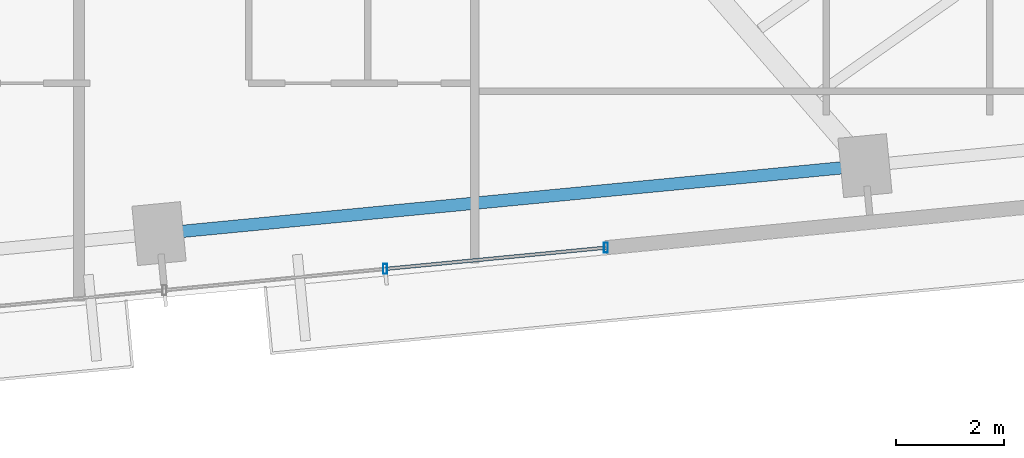
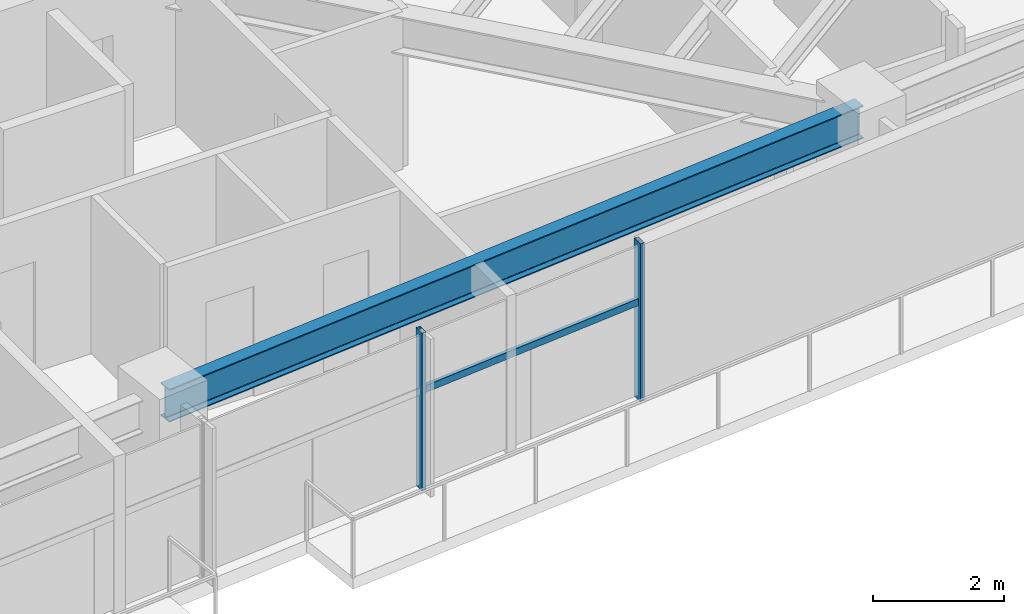
# One storey, part 12 of 25: 3 members, 1 beam, 1 element without a shape of its own.
"""IFC4 building model written with IfcOpenShell, lengths in metres."""

from ifc_helpers import new_model, si_unit, direction, frame, origin, origin_2d, place, context, subcontext, project, spatial, hollow_rectangle, i_section, extrude, source, transform, mapped, material, material_profile, profile_set, type_object, type_shapes, element, aggregate, save


model = new_model("IFC4")

# Units and contexts
model_context = context("Model", 3, precision=1e-05, world=origin(), true_north=direction((0.0, 1.0)))
body_context = subcontext(model_context, "Body", "Model", "MODEL_VIEW")
ifc_project = project(units=[si_unit("LENGTHUNIT", "METRE"), si_unit("AREAUNIT", "SQUARE_METRE"), si_unit("VOLUMEUNIT", "CUBIC_METRE"), si_unit("PLANEANGLEUNIT", "RADIAN"), si_unit("MASSUNIT", "GRAM", prefix="KILO")], contexts=[model_context])

# Site, building, storey
site_placement = place(None, origin())
site = spatial("IfcSite", under=ifc_project, at=site_placement, CompositionType="ELEMENT")
building_placement = place(site_placement, origin())
building = spatial("IfcBuilding", under=site, at=building_placement, Name="Astriad Promenade Condominiums", CompositionType="ELEMENT")
storey_placement = place(building_placement, frame((0.0, 0.0, 103.39990234375)))
storey = spatial("IfcBuildingStorey", under=building, at=storey_placement, Name="L29", CompositionType="ELEMENT", Elevation=103.39990234375)

# Beam
ifc_material_1 = material(Name="Steel ASTM A992 Grade 50", Category="steel")
ifc_material_profile_1 = material_profile(ifc_material_1, i_section(OverallWidth=0.22900390625, OverallDepth=0.612060546875, WebThickness=0.011962890625, FlangeThickness=0.01953125, FilletRadius=0.017822265625, at=origin_2d()), Name="W24X84")
ifc_profile_set_1 = profile_set([ifc_material_profile_1], Name="Steel ASTM A992 Grade 50")
beam_type = type_object("IfcBeamType", Name="STEEL SPANDREL BEAM W24X84", PredefinedType="SPANDREL", material=ifc_profile_set_1)
shared_shape_1 = source(origin(), body_context, "Body", "SweptSolid", [
    extrude(i_section(OverallWidth=0.22900390625, OverallDepth=0.612060546875, WebThickness=0.011962890625, FlangeThickness=0.01953125, FilletRadius=0.017822265625, at=origin_2d()), origin(), (0.0, 0.0, 1.0), 13.02001953125),
])
type_shapes(beam_type, [shared_shape_1])
beam_placement = place(storey_placement, frame((40.085205078125, 7.5244140625, 2.634033203125), z_axis=(0.995395138946, 0.095856754395, 0.0), x_axis=(-0.095856754395, 0.995395138946, 0.0)))
element("IfcBeam", 1, at=beam_placement, inside=storey, type_object=beam_type, Name="Perimeter Spandrel Beam SP-S3-L29", PredefinedType="SPANDREL", context=body_context, shape_type="MappedRepresentation", body=[
    mapped(shared_shape_1, transform((0.0, 0.0, 0.0), scale=1.0)),
])

# Curtain wall, members
ifc_material_2 = material(Name="Anodised aluminium Black Dark Glass Unitised", Category="aluminium")
curtain_wall_type = type_object("IfcCurtainWallType", Name="CW-B2-DARK", PredefinedType="USERDEFINED", material=ifc_material_2)
curtain_wall_placement = place(storey_placement, origin())
curtain_wall = element("IfcCurtainWall", 2, at=curtain_wall_placement, inside=storey, type_object=curtain_wall_type, Name="CW-L29-S", ObjectType="UNITISED_CURTAIN_WALL", PredefinedType="USERDEFINED")
ifc_material_3 = material(Name="Anodised aluminium 6063-T6 Black", Category="aluminium")
ifc_material_profile_2 = material_profile(ifc_material_3, hollow_rectangle(XDim=0.074951171875, YDim=0.18505859375, WallThickness=0.00439453125, at=origin_2d()), Name="ALU-MUL-75X185")
ifc_profile_set_2 = profile_set([ifc_material_profile_2], Name="Anodised aluminium 6063-T6 Black")
member_type_1 = type_object("IfcMemberType", Name="MUL-ALU-MUL-75X185", PredefinedType="MULLION", material=ifc_profile_set_2)
shared_shape_2 = source(origin(), body_context, "Body", "SweptSolid", [
    extrude(hollow_rectangle(XDim=0.074951171875, YDim=0.18505859375, WallThickness=0.00439453125, at=origin_2d()), origin(), (0.0, 0.0, 1.0), 2.940185546875),
])
type_shapes(member_type_1, [shared_shape_2])
member_1_placement = place(storey_placement, frame((48.29833984375, 7.260498046875, 0.0), z_axis=(0.0, 0.0, 1.0), x_axis=(1.0, 0.0, 0.0)))
member_1 = element("IfcMember", 3, at=member_1_placement, type_object=member_type_1, Name="CW-L29-S-MUL-00", PredefinedType="MULLION", context=body_context, shape_type="MappedRepresentation", body=[
    mapped(shared_shape_2, transform((0.0, 0.0, 0.0), scale=1.0)),
])
member_2_placement = place(storey_placement, frame((44.22216796875, 6.867919921875, 0.0), z_axis=(0.0, 0.0, 1.0), x_axis=(1.0, 0.0, 0.0)))
member_2 = element("IfcMember", 4, at=member_2_placement, type_object=member_type_1, Name="CW-L29-S-MUL-01", PredefinedType="MULLION", context=body_context, shape_type="MappedRepresentation", body=[
    mapped(shared_shape_2, transform((0.0, 0.0, 0.0), scale=1.0)),
])
ifc_material_profile_3 = material_profile(ifc_material_3, hollow_rectangle(XDim=0.06494140625, YDim=0.1298828125, WallThickness=0.00390625, at=origin_2d()), Name="ALU-TRN-65X130")
ifc_profile_set_3 = profile_set([ifc_material_profile_3], Name="Anodised aluminium 6063-T6 Black")
member_type_2 = type_object("IfcMemberType", Name="TRN-ALU-TRN-65X130", PredefinedType="USERDEFINED", material=ifc_profile_set_3)
shared_shape_3 = source(origin(), body_context, "Body", "SweptSolid", [
    extrude(hollow_rectangle(XDim=0.06494140625, YDim=0.1298828125, WallThickness=0.00390625, at=origin_2d()), origin(), (0.0, 0.0, 1.0), 4.094970703125),
])
type_shapes(member_type_2, [shared_shape_3])
member_3_placement = place(storey_placement, frame((48.29833984375, 7.260498046875, 1.822998046875), z_axis=(-0.995394161585, -0.09586690296, 0.0), x_axis=(0.09586690296, -0.995394161585, 0.0)))
member_3 = element("IfcMember", 5, at=member_3_placement, type_object=member_type_2, Name="CW-L29-S-TRN-00-0", ObjectType="TRANSOM", PredefinedType="USERDEFINED", context=body_context, shape_type="MappedRepresentation", body=[
    mapped(shared_shape_3, transform((0.0, 0.0, 0.0), scale=1.0)),
])
aggregate(curtain_wall, [member_1, member_2, member_3])

save(model, "model.ifc")
